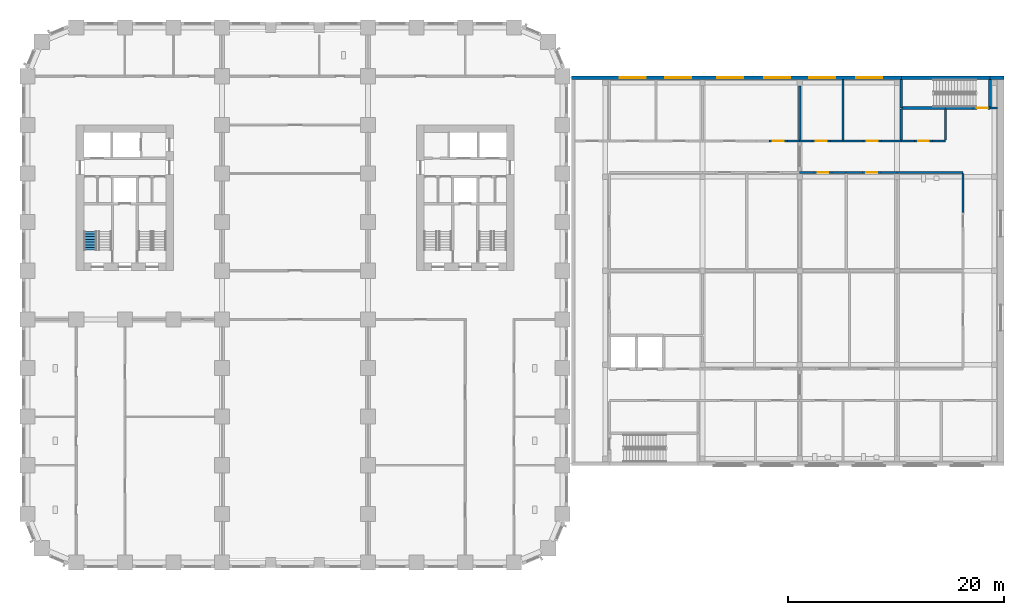
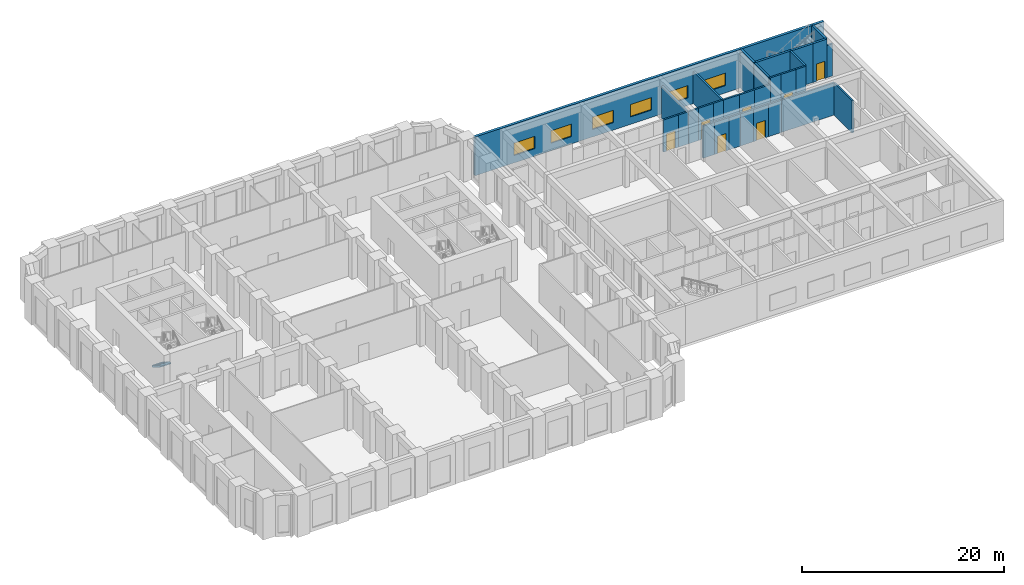
# One storey, part 11 of 19: 32 walls, 7 doors, 6 windows, 1 stair flight, 13 openings, 1 element without a shape of its own.
"""IFC4 building model written with IfcOpenShell, lengths in metres."""

from ifc_helpers import new_model, si_unit, direction, frame, frame_2d, origin, place, context, subcontext, project, spatial, polyline, rectangle, outline, extrude, material, layer, layer_set, type_object, element, fill, aggregate, save


model = new_model("IFC4")

# Units and contexts
model_context = context("Model", 3, precision=1e-05, world=origin(), true_north=direction((0.0, 1.0)))
body_context = subcontext(model_context, "Body", "Model", "MODEL_VIEW")
ifc_project = project(units=[si_unit("LENGTHUNIT", "METRE"), si_unit("AREAUNIT", "SQUARE_METRE"), si_unit("VOLUMEUNIT", "CUBIC_METRE"), si_unit("PLANEANGLEUNIT", "RADIAN"), si_unit("MASSUNIT", "GRAM", prefix="KILO")], contexts=[model_context])

# Site, building, storey
site_placement = place(None, origin())
site = spatial("IfcSite", under=ifc_project, at=site_placement, CompositionType="ELEMENT")
building_placement = place(site_placement, origin())
building = spatial("IfcBuilding", under=site, at=building_placement, Name="Girih Gate Residences", CompositionType="ELEMENT")
storey_placement = place(building_placement, frame((0.0, 0.0, 21.0)))
storey = spatial("IfcBuildingStorey", under=building, at=storey_placement, Name="L04", CompositionType="ELEMENT", Elevation=21.0)

# Wall
ifc_material_1 = material(Name="Fire-rated gypsum partition")
ifc_layer_1 = layer(ifc_material_1, 0.199951171875)
ifc_layer_set_1 = layer_set([ifc_layer_1], Name="HC Corridor wall 200 EI 60")
wall_type_1 = type_object("IfcWallType", Name="HC Corridor wall 200 EI 60", PredefinedType="PARTITIONING", material=ifc_layer_set_1)
wall_1_placement = place(storey_placement, frame((71.449951171875, 36.10009765625, 0.0), z_axis=(0.0, 0.0, 1.0), x_axis=(1.0, 0.0, 0.0)))
element("IfcWall", 1, at=wall_1_placement, inside=storey, type_object=wall_type_1, Name="L04 wall x36.10/71.5", PredefinedType="PARTITIONING", context=body_context, shape_type="SweptSolid", body=[
    extrude(rectangle(XDim=1.300048828125, YDim=0.199951171875, at=frame_2d((0.64990234375, 0.0))), origin(), (0.0, 0.0, 1.0), 3.89990234375),
])

# Wall, opening, door
wall_2_placement = place(storey_placement, frame((74.449951171875, 36.10009765625, 0.0), z_axis=(0.0, 0.0, 1.0), x_axis=(-1.0, 0.0, 0.0)))
wall_2 = element("IfcWall", 2, at=wall_2_placement, inside=storey, type_object=wall_type_1, Name="L04 wall x36.10/72.8", PredefinedType="PARTITIONING", context=body_context, shape_type="SweptSolid", body=[
    extrude(rectangle(XDim=1.699951171875, YDim=0.199951171875, at=frame_2d((0.85009765625, 0.0))), origin(), (0.0, 0.0, 1.0), 3.89990234375),
])
opening_1_placement = place(wall_2_placement, frame((0.35009765625, 0.0, 0.0)))
opening_1 = element("IfcOpeningElement", 3, at=opening_1_placement, cuts=wall_2, Name="Opening HC-L04-D24", PredefinedType="OPENING", context=body_context, shape_type="SweptSolid", body=[
    extrude(rectangle(XDim=1.0, YDim=2.10009765625, at=frame_2d((0.5, 1.050048828125))), frame((0.0, 0.10986328125, 0.0), z_axis=(0.0, -1.0, 0.0), x_axis=(1.0, 0.0, 0.0)), (0.0, 0.0, 1.0), 0.219970703125),
])
ifc_material_2 = material(Name="Timber door set", Category="wood")
door_type_1 = type_object("IfcDoorType", Name="HC Door 1000x2100 FD30S", OperationType="NOTDEFINED", PredefinedType="DOOR", material=ifc_material_2)
door_1_placement = place(opening_1_placement, origin())
door_1 = element("IfcDoor", 4, at=door_1_placement, inside=storey, type_object=door_type_1, Name="L04 Office 1 door", OperationType="SINGLE_SWING_LEFT", OverallHeight=2.10009765625, OverallWidth=1.0, PredefinedType="DOOR", context=body_context, shape_type="SweptSolid", body=[
    extrude(rectangle(XDim=1.0, YDim=2.10009765625, at=frame_2d((0.5, 1.050048828125))), frame((0.0, 0.02490234375, 0.0), z_axis=(0.0, -1.0, 0.0), x_axis=(1.0, 0.0, 0.0)), (0.0, 0.0, 1.0), 0.050048828125),
])
fill(opening_1, door_1)

# Walls
wall_3_placement = place(storey_placement, frame((74.449951171875, 36.10009765625, 0.0), z_axis=(0.0, 0.0, 1.0), x_axis=(1.0, 0.0, 0.0)))
element("IfcWall", 5, at=wall_3_placement, inside=storey, type_object=wall_type_1, Name="L04 wall x36.10/74.4", PredefinedType="PARTITIONING", context=body_context, shape_type="SweptSolid", body=[
    extrude(rectangle(XDim=1.300048828125, YDim=0.199951171875, at=frame_2d((0.64990234375, 0.0))), origin(), (0.0, 0.0, 1.0), 3.89990234375),
])
wall_4_placement = place(storey_placement, frame((75.75, 36.10009765625, 0.0), z_axis=(0.0, 0.0, 1.0), x_axis=(1.0, 0.0, 0.0)))
element("IfcWall", 6, at=wall_4_placement, inside=storey, type_object=wall_type_1, Name="L04 wall x36.10/75.8", PredefinedType="PARTITIONING", context=body_context, shape_type="SweptSolid", body=[
    extrude(rectangle(XDim=1.5, YDim=0.199951171875, at=frame_2d((0.75, 0.0))), origin(), (0.0, 0.0, 1.0), 3.89990234375),
])

# Wall, opening, door
wall_5_placement = place(storey_placement, frame((78.949951171875, 36.10009765625, 0.0), z_axis=(0.0, 0.0, 1.0), x_axis=(-1.0, 0.0, 0.0)))
wall_5 = element("IfcWall", 7, at=wall_5_placement, inside=storey, type_object=wall_type_1, Name="L04 wall x36.10/77.2", PredefinedType="PARTITIONING", context=body_context, shape_type="SweptSolid", body=[
    extrude(rectangle(XDim=1.699951171875, YDim=0.199951171875, at=frame_2d((0.85009765625, 0.0))), origin(), (0.0, 0.0, 1.0), 3.89990234375),
])
opening_2_placement = place(wall_5_placement, frame((0.35009765625, 0.0, 0.0)))
opening_2 = element("IfcOpeningElement", 8, at=opening_2_placement, cuts=wall_5, Name="Opening HC-L04-D25", PredefinedType="OPENING", context=body_context, shape_type="SweptSolid", body=[
    extrude(rectangle(XDim=1.0, YDim=2.10009765625, at=frame_2d((0.5, 1.050048828125))), frame((0.0, 0.10986328125, 0.0), z_axis=(0.0, -1.0, 0.0), x_axis=(1.0, 0.0, 0.0)), (0.0, 0.0, 1.0), 0.219970703125),
])
door_2_placement = place(opening_2_placement, origin())
door_2 = element("IfcDoor", 9, at=door_2_placement, inside=storey, type_object=door_type_1, Name="L04 Archive door", OperationType="SINGLE_SWING_RIGHT", OverallHeight=2.10009765625, OverallWidth=1.0, PredefinedType="DOOR", context=body_context, shape_type="SweptSolid", body=[
    extrude(rectangle(XDim=1.0, YDim=2.10009765625, at=frame_2d((0.5, 1.050048828125))), frame((0.0, 0.02490234375, 0.0), z_axis=(0.0, -1.0, 0.0), x_axis=(1.0, 0.0, 0.0)), (0.0, 0.0, 1.0), 0.050048828125),
])
fill(opening_2, door_2)

# Walls
wall_6_placement = place(storey_placement, frame((78.949951171875, 36.10009765625, 0.0), z_axis=(0.0, 0.0, 1.0), x_axis=(1.0, 0.0, 0.0)))
element("IfcWall", 10, at=wall_6_placement, inside=storey, type_object=wall_type_1, Name="L04 wall x36.10/78.9", PredefinedType="PARTITIONING", context=body_context, shape_type="SweptSolid", body=[
    extrude(rectangle(XDim=1.5, YDim=0.199951171875, at=frame_2d((0.75, 0.0))), origin(), (0.0, 0.0, 1.0), 3.89990234375),
])
wall_7_placement = place(storey_placement, frame((80.449951171875, 36.10009765625, 0.0), z_axis=(0.0, 0.0, 1.0), x_axis=(1.0, 0.0, 0.0)))
element("IfcWall", 11, at=wall_7_placement, inside=storey, type_object=wall_type_1, Name="L04 wall x36.10/80.5", PredefinedType="PARTITIONING", context=body_context, shape_type="SweptSolid", body=[
    extrude(rectangle(XDim=6.10009765625, YDim=0.199951171875, at=frame_2d((3.050048828125, 0.0))), origin(), (0.0, 0.0, 1.0), 3.89990234375),
])

# Wall, opening, door
wall_8_placement = place(storey_placement, frame((68.60009765625, 39.0, 0.0), z_axis=(0.0, 0.0, 1.0), x_axis=(1.0, 0.0, 0.0)))
wall_8 = element("IfcWall", 12, at=wall_8_placement, inside=storey, type_object=wall_type_1, Name="L04 wall x39.00/68.6", PredefinedType="PARTITIONING", context=body_context, shape_type="SweptSolid", body=[
    extrude(rectangle(XDim=1.699951171875, YDim=0.199951171875, at=frame_2d((0.85009765625, 0.0))), origin(), (0.0, 0.0, 1.0), 3.89990234375),
])
opening_3_placement = place(wall_8_placement, frame((0.35009765625, 0.0, 0.0)))
opening_3 = element("IfcOpeningElement", 13, at=opening_3_placement, cuts=wall_8, Name="Opening HC-L04-D31", PredefinedType="OPENING", context=body_context, shape_type="SweptSolid", body=[
    extrude(rectangle(XDim=1.0, YDim=2.10009765625, at=frame_2d((0.5, 1.050048828125))), frame((0.0, 0.10986328125, 0.0), z_axis=(0.0, -1.0, 0.0), x_axis=(1.0, 0.0, 0.0)), (0.0, 0.0, 1.0), 0.219970703125),
])
door_3_placement = place(opening_3_placement, origin())
door_3 = element("IfcDoor", 14, at=door_3_placement, inside=storey, type_object=door_type_1, Name="L04 Office 4 door", OperationType="SINGLE_SWING_LEFT", OverallHeight=2.10009765625, OverallWidth=1.0, PredefinedType="DOOR", context=body_context, shape_type="SweptSolid", body=[
    extrude(rectangle(XDim=1.0, YDim=2.10009765625, at=frame_2d((0.5, 1.050048828125))), frame((0.0, 0.02490234375, 0.0), z_axis=(0.0, -1.0, 0.0), x_axis=(1.0, 0.0, 0.0)), (0.0, 0.0, 1.0), 0.050048828125),
])
fill(opening_3, door_3)

# Walls
wall_9_placement = place(storey_placement, frame((70.300048828125, 39.0, 0.0), z_axis=(0.0, 0.0, 1.0), x_axis=(1.0, 0.0, 0.0)))
element("IfcWall", 15, at=wall_9_placement, inside=storey, type_object=wall_type_1, Name="L04 wall x39.00/70.3", PredefinedType="PARTITIONING", context=body_context, shape_type="SweptSolid", body=[
    extrude(rectangle(XDim=1.14990234375, YDim=0.199951171875, at=frame_2d((0.574951171875, 0.0))), origin(), (0.0, 0.0, 1.0), 3.89990234375),
])
wall_10_placement = place(storey_placement, frame((71.449951171875, 39.0, 0.0), z_axis=(0.0, 0.0, 1.0), x_axis=(1.0, 0.0, 0.0)))
element("IfcWall", 16, at=wall_10_placement, inside=storey, type_object=wall_type_1, Name="L04 wall x39.00/71.5", PredefinedType="PARTITIONING", context=body_context, shape_type="SweptSolid", body=[
    extrude(rectangle(XDim=1.150146484375, YDim=0.199951171875, at=frame_2d((0.5751953125, 0.0))), origin(), (0.0, 0.0, 1.0), 3.89990234375),
])

# Wall, opening, door
wall_11_placement = place(storey_placement, frame((72.60009765625, 39.0, 0.0), z_axis=(0.0, 0.0, 1.0), x_axis=(1.0, 0.0, 0.0)))
wall_11 = element("IfcWall", 17, at=wall_11_placement, inside=storey, type_object=wall_type_1, Name="L04 wall x39.00/72.6", PredefinedType="PARTITIONING", context=body_context, shape_type="SweptSolid", body=[
    extrude(rectangle(XDim=1.699951171875, YDim=0.199951171875, at=frame_2d((0.85009765625, 0.0))), origin(), (0.0, 0.0, 1.0), 3.89990234375),
])
opening_4_placement = place(wall_11_placement, frame((0.35009765625, 0.0, 0.0)))
opening_4 = element("IfcOpeningElement", 18, at=opening_4_placement, cuts=wall_11, Name="Opening HC-L04-D32", PredefinedType="OPENING", context=body_context, shape_type="SweptSolid", body=[
    extrude(rectangle(XDim=1.0, YDim=2.10009765625, at=frame_2d((0.5, 1.050048828125))), frame((0.0, 0.10986328125, 0.0), z_axis=(0.0, -1.0, 0.0), x_axis=(1.0, 0.0, 0.0)), (0.0, 0.0, 1.0), 0.219970703125),
])
door_4_placement = place(opening_4_placement, origin())
door_4 = element("IfcDoor", 19, at=door_4_placement, inside=storey, type_object=door_type_1, Name="L04 Meeting room 2 door", OperationType="SINGLE_SWING_RIGHT", OverallHeight=2.10009765625, OverallWidth=1.0, PredefinedType="DOOR", context=body_context, shape_type="SweptSolid", body=[
    extrude(rectangle(XDim=1.0, YDim=2.10009765625, at=frame_2d((0.5, 1.050048828125))), frame((0.0, 0.02490234375, 0.0), z_axis=(0.0, -1.0, 0.0), x_axis=(1.0, 0.0, 0.0)), (0.0, 0.0, 1.0), 0.050048828125),
])
fill(opening_4, door_4)

# Walls
wall_12_placement = place(storey_placement, frame((74.300048828125, 39.0, 0.0), z_axis=(0.0, 0.0, 1.0), x_axis=(1.0, 0.0, 0.0)))
element("IfcWall", 20, at=wall_12_placement, inside=storey, type_object=wall_type_1, Name="L04 wall x39.00/74.3", PredefinedType="PARTITIONING", context=body_context, shape_type="SweptSolid", body=[
    extrude(rectangle(XDim=1.14990234375, YDim=0.199951171875, at=frame_2d((0.574951171875, 0.0))), origin(), (0.0, 0.0, 1.0), 3.89990234375),
])
wall_13_placement = place(storey_placement, frame((75.449951171875, 39.0, 0.0), z_axis=(0.0, 0.0, 1.0), x_axis=(1.0, 0.0, 0.0)))
element("IfcWall", 21, at=wall_13_placement, inside=storey, type_object=wall_type_1, Name="L04 wall x39.00/75.5", PredefinedType="PARTITIONING", context=body_context, shape_type="SweptSolid", body=[
    extrude(rectangle(XDim=1.85009765625, YDim=0.199951171875, at=frame_2d((0.925048828125, 0.0))), origin(), (0.0, 0.0, 1.0), 3.89990234375),
])

# Wall, opening, door
wall_14_placement = place(storey_placement, frame((77.300048828125, 39.0, 0.0), z_axis=(0.0, 0.0, 1.0), x_axis=(1.0, 0.0, 0.0)))
wall_14 = element("IfcWall", 22, at=wall_14_placement, inside=storey, type_object=wall_type_1, Name="L04 wall x39.00/77.3", PredefinedType="PARTITIONING", context=body_context, shape_type="SweptSolid", body=[
    extrude(rectangle(XDim=1.699951171875, YDim=0.199951171875, at=frame_2d((0.85009765625, 0.0))), origin(), (0.0, 0.0, 1.0), 3.89990234375),
])
opening_5_placement = place(wall_14_placement, frame((0.35009765625, 0.0, 0.0)))
opening_5 = element("IfcOpeningElement", 23, at=opening_5_placement, cuts=wall_14, Name="Opening HC-L04-D33", PredefinedType="OPENING", context=body_context, shape_type="SweptSolid", body=[
    extrude(rectangle(XDim=1.0, YDim=2.10009765625, at=frame_2d((0.5, 1.050048828125))), frame((0.0, 0.10986328125, 0.0), z_axis=(0.0, -1.0, 0.0), x_axis=(1.0, 0.0, 0.0)), (0.0, 0.0, 1.0), 0.219970703125),
])
door_5_placement = place(opening_5_placement, origin())
door_5 = element("IfcDoor", 24, at=door_5_placement, inside=storey, type_object=door_type_1, Name="L04 Office 5 door", OperationType="SINGLE_SWING_LEFT", OverallHeight=2.10009765625, OverallWidth=1.0, PredefinedType="DOOR", context=body_context, shape_type="SweptSolid", body=[
    extrude(rectangle(XDim=1.0, YDim=2.10009765625, at=frame_2d((0.5, 1.050048828125))), frame((0.0, 0.02490234375, 0.0), z_axis=(0.0, -1.0, 0.0), x_axis=(1.0, 0.0, 0.0)), (0.0, 0.0, 1.0), 0.050048828125),
])
fill(opening_5, door_5)

# Walls
wall_15_placement = place(storey_placement, frame((79.0, 39.0, 0.0), z_axis=(0.0, 0.0, 1.0), x_axis=(1.0, 0.0, 0.0)))
element("IfcWall", 25, at=wall_15_placement, inside=storey, type_object=wall_type_1, Name="L04 wall x39.00/79.0", PredefinedType="PARTITIONING", context=body_context, shape_type="SweptSolid", body=[
    extrude(rectangle(XDim=1.85009765625, YDim=0.199951171875, at=frame_2d((0.925048828125, 0.0))), origin(), (0.0, 0.0, 1.0), 3.89990234375),
])
wall_16_placement = place(storey_placement, frame((80.85009765625, 39.0, 0.0), z_axis=(0.0, 0.0, 1.0), x_axis=(1.0, 0.0, 0.0)))
element("IfcWall", 26, at=wall_16_placement, inside=storey, type_object=wall_type_1, Name="L04 wall x39.00/80.8", PredefinedType="PARTITIONING", context=body_context, shape_type="SweptSolid", body=[
    extrude(rectangle(XDim=1.199951171875, YDim=0.199951171875, at=frame_2d((0.60009765625, 0.0))), origin(), (0.0, 0.0, 1.0), 4.699951171875),
])

# Wall, opening, door
wall_17_placement = place(storey_placement, frame((82.050048828125, 39.0, 0.0), z_axis=(0.0, 0.0, 1.0), x_axis=(1.0, 0.0, 0.0)))
wall_17 = element("IfcWall", 27, at=wall_17_placement, inside=storey, type_object=wall_type_1, Name="L04 wall x39.00/82.1", PredefinedType="PARTITIONING", context=body_context, shape_type="SweptSolid", body=[
    extrude(rectangle(XDim=1.699951171875, YDim=0.199951171875, at=frame_2d((0.85009765625, 0.0))), origin(), (0.0, 0.0, 1.0), 4.699951171875),
])
opening_6_placement = place(wall_17_placement, frame((0.35009765625, 0.0, 0.0)))
opening_6 = element("IfcOpeningElement", 28, at=opening_6_placement, cuts=wall_17, Name="Opening HC-L04-D34", PredefinedType="OPENING", context=body_context, shape_type="SweptSolid", body=[
    extrude(rectangle(XDim=1.0, YDim=2.10009765625, at=frame_2d((0.5, 1.050048828125))), frame((0.0, 0.10986328125, 0.0), z_axis=(0.0, -1.0, 0.0), x_axis=(1.0, 0.0, 0.0)), (0.0, 0.0, 1.0), 0.219970703125),
])
door_6_placement = place(opening_6_placement, origin())
door_6 = element("IfcDoor", 29, at=door_6_placement, inside=storey, type_object=door_type_1, Name="L04 Stationery store door", OperationType="SINGLE_SWING_RIGHT", OverallHeight=2.10009765625, OverallWidth=1.0, PredefinedType="DOOR", context=body_context, shape_type="SweptSolid", body=[
    extrude(rectangle(XDim=1.0, YDim=2.10009765625, at=frame_2d((0.5, 1.050048828125))), frame((0.0, 0.02490234375, 0.0), z_axis=(0.0, -1.0, 0.0), x_axis=(1.0, 0.0, 0.0)), (0.0, 0.0, 1.0), 0.050048828125),
])
fill(opening_6, door_6)

# Walls
wall_18_placement = place(storey_placement, frame((83.75, 39.0, 0.0), z_axis=(0.0, 0.0, 1.0), x_axis=(1.0, 0.0, 0.0)))
element("IfcWall", 30, at=wall_18_placement, inside=storey, type_object=wall_type_1, Name="L04 wall x39.00/83.8", PredefinedType="PARTITIONING", context=body_context, shape_type="SweptSolid", body=[
    extrude(rectangle(XDim=1.199951171875, YDim=0.199951171875, at=frame_2d((0.60009765625, 0.0))), origin(), (0.0, 0.0, 1.0), 4.699951171875),
])
wall_19_placement = place(storey_placement, frame((89.050048828125, 42.050048828125, 0.0), z_axis=(0.0, 0.0, 1.0), x_axis=(1.0, 0.0, 0.0)))
element("IfcWall", 31, at=wall_19_placement, inside=storey, type_object=wall_type_1, Name="L04 wall x42.05/89.0", PredefinedType="PARTITIONING", context=body_context, shape_type="SweptSolid", body=[
    extrude(rectangle(XDim=0.699951171875, YDim=0.199951171875, at=frame_2d((0.35009765625, 0.0))), origin(), (0.0, 0.0, 1.0), 3.89990234375),
])
wall_20_placement = place(storey_placement, frame((84.949951171875, 39.10009765625, 0.0), z_axis=(0.0, 0.0, 1.0), x_axis=(0.0, 1.0, 0.0)))
element("IfcWall", 32, at=wall_20_placement, inside=storey, type_object=wall_type_1, Name="L04 wall y84.95/39.1", PredefinedType="PARTITIONING", context=body_context, shape_type="SweptSolid", body=[
    extrude(rectangle(XDim=2.849853515625, YDim=0.199951171875, at=frame_2d((1.4248046875, 0.0))), origin(), (0.0, 0.0, 1.0), 4.699951171875),
])
wall_21_placement = place(storey_placement, frame((86.550048828125, 32.39990234375, 0.0), z_axis=(0.0, 0.0, 1.0), x_axis=(0.0, 1.0, 0.0)))
element("IfcWall", 33, at=wall_21_placement, inside=storey, type_object=wall_type_1, Name="L04 wall y86.55/32.4", PredefinedType="PARTITIONING", context=body_context, shape_type="SweptSolid", body=[
    extrude(rectangle(XDim=3.60009765625, YDim=0.199951171875, at=frame_2d((1.800048828125, 0.0))), origin(), (0.0, 0.0, 1.0), 3.89990234375),
])

# Wall, openings, windows
ifc_material_3 = material(Name="Precast concrete C40/50", Category="concrete")
ifc_layer_2 = layer(ifc_material_3, 0.300048828125)
ifc_layer_set_2 = layer_set([ifc_layer_2], Name="HC Facade wall 300")
wall_type_2 = type_object("IfcWallType", Name="HC Facade wall 300", PredefinedType="SOLIDWALL", material=ifc_layer_set_2)
wall_22_placement = place(storey_placement, frame((50.35009765625, 44.85009765625, 0.0), z_axis=(0.0, 0.0, 1.0), x_axis=(1.0, 0.0, 0.0)))
wall_22 = element("IfcWall", 34, at=wall_22_placement, inside=storey, type_object=wall_type_2, Name="L04 north facade wall", PredefinedType="SOLIDWALL", context=body_context, shape_type="SweptSolid", body=[
    extrude(rectangle(XDim=30.5, YDim=0.300048828125, at=frame_2d((15.25, 0.0))), origin(), (0.0, 0.0, 1.0), 4.699951171875),
])
opening_7_placement = place(wall_22_placement, frame((4.449951171875, 0.0, 0.89990234375)))
opening_7 = element("IfcOpeningElement", 35, at=opening_7_placement, cuts=wall_22, Name="Opening HC-W-L04-N01", PredefinedType="OPENING", context=body_context, shape_type="SweptSolid", body=[
    extrude(rectangle(XDim=2.39990234375, YDim=1.5, at=frame_2d((1.199951171875, 0.75))), frame((0.0, 0.159912109375, 0.0), z_axis=(0.0, -1.0, 0.0), x_axis=(1.0, 0.0, 0.0)), (0.0, 0.0, 1.0), 0.320068359375),
])
opening_8_placement = place(wall_22_placement, frame((8.675048828125, 0.0, 0.89990234375)))
opening_8 = element("IfcOpeningElement", 36, at=opening_8_placement, cuts=wall_22, Name="Opening HC-W-L04-N02", PredefinedType="OPENING", context=body_context, shape_type="SweptSolid", body=[
    extrude(rectangle(XDim=2.39990234375, YDim=1.5, at=frame_2d((1.199951171875, 0.75))), frame((0.0, 0.159912109375, 0.0), z_axis=(0.0, -1.0, 0.0), x_axis=(1.0, 0.0, 0.0)), (0.0, 0.0, 1.0), 0.320068359375),
])
opening_9_placement = place(wall_22_placement, frame((13.47509765625, 0.0, 0.89990234375)))
opening_9 = element("IfcOpeningElement", 37, at=opening_9_placement, cuts=wall_22, Name="Opening HC-W-L04-N03", PredefinedType="OPENING", context=body_context, shape_type="SweptSolid", body=[
    extrude(rectangle(XDim=2.39990234375, YDim=1.5, at=frame_2d((1.199951171875, 0.75))), frame((0.0, 0.159912109375, 0.0), z_axis=(0.0, -1.0, 0.0), x_axis=(1.0, 0.0, 0.0)), (0.0, 0.0, 1.0), 0.320068359375),
])
opening_10_placement = place(wall_22_placement, frame((17.824951171875, 0.0, 0.89990234375)))
opening_10 = element("IfcOpeningElement", 38, at=opening_10_placement, cuts=wall_22, Name="Opening HC-W-L04-N04", PredefinedType="OPENING", context=body_context, shape_type="SweptSolid", body=[
    extrude(rectangle(XDim=2.39990234375, YDim=1.5, at=frame_2d((1.199951171875, 0.75))), frame((0.0, 0.159912109375, 0.0), z_axis=(0.0, -1.0, 0.0), x_axis=(1.0, 0.0, 0.0)), (0.0, 0.0, 1.0), 0.320068359375),
])
opening_11_placement = place(wall_22_placement, frame((21.97509765625, 0.0, 0.89990234375)))
opening_11 = element("IfcOpeningElement", 39, at=opening_11_placement, cuts=wall_22, Name="Opening HC-W-L04-N05", PredefinedType="OPENING", context=body_context, shape_type="SweptSolid", body=[
    extrude(rectangle(XDim=2.39990234375, YDim=1.5, at=frame_2d((1.199951171875, 0.75))), frame((0.0, 0.159912109375, 0.0), z_axis=(0.0, -1.0, 0.0), x_axis=(1.0, 0.0, 0.0)), (0.0, 0.0, 1.0), 0.320068359375),
])
opening_12_placement = place(wall_22_placement, frame((26.324951171875, 0.0, 0.89990234375)))
opening_12 = element("IfcOpeningElement", 40, at=opening_12_placement, cuts=wall_22, Name="Opening HC-W-L04-N06", PredefinedType="OPENING", context=body_context, shape_type="SweptSolid", body=[
    extrude(rectangle(XDim=2.39990234375, YDim=1.5, at=frame_2d((1.199951171875, 0.75))), frame((0.0, 0.159912109375, 0.0), z_axis=(0.0, -1.0, 0.0), x_axis=(1.0, 0.0, 0.0)), (0.0, 0.0, 1.0), 0.320068359375),
])
ifc_material_4 = material(Name="Aluminium framed glazing", Category="aluminium")
window_type = type_object("IfcWindowType", Name="HC Window W-4 2400x1500", PartitioningType="DOUBLE_PANEL_VERTICAL", PredefinedType="WINDOW", material=ifc_material_4)
window_1_placement = place(opening_7_placement, origin())
window_1 = element("IfcWindow", 41, at=window_1_placement, inside=storey, type_object=window_type, Name="L04 north window 1", OverallHeight=1.5, OverallWidth=2.39990234375, PartitioningType="DOUBLE_PANEL_VERTICAL", PredefinedType="WINDOW", context=body_context, shape_type="SweptSolid", body=[
    extrude(rectangle(XDim=2.39990234375, YDim=1.5, at=frame_2d((1.199951171875, 0.75))), frame((0.0, 0.030029296875, 0.0), z_axis=(0.0, -1.0, 0.0), x_axis=(1.0, 0.0, 0.0)), (0.0, 0.0, 1.0), 0.06005859375),
])
fill(opening_7, window_1)
window_2_placement = place(opening_8_placement, origin())
window_2 = element("IfcWindow", 42, at=window_2_placement, inside=storey, type_object=window_type, Name="L04 north window 2", OverallHeight=1.5, OverallWidth=2.39990234375, PartitioningType="DOUBLE_PANEL_VERTICAL", PredefinedType="WINDOW", context=body_context, shape_type="SweptSolid", body=[
    extrude(rectangle(XDim=2.39990234375, YDim=1.5, at=frame_2d((1.199951171875, 0.75))), frame((0.0, 0.030029296875, 0.0), z_axis=(0.0, -1.0, 0.0), x_axis=(1.0, 0.0, 0.0)), (0.0, 0.0, 1.0), 0.06005859375),
])
fill(opening_8, window_2)
window_3_placement = place(opening_9_placement, origin())
window_3 = element("IfcWindow", 43, at=window_3_placement, inside=storey, type_object=window_type, Name="L04 north window 3", OverallHeight=1.5, OverallWidth=2.39990234375, PartitioningType="DOUBLE_PANEL_VERTICAL", PredefinedType="WINDOW", context=body_context, shape_type="SweptSolid", body=[
    extrude(rectangle(XDim=2.39990234375, YDim=1.5, at=frame_2d((1.199951171875, 0.75))), frame((0.0, 0.030029296875, 0.0), z_axis=(0.0, -1.0, 0.0), x_axis=(1.0, 0.0, 0.0)), (0.0, 0.0, 1.0), 0.06005859375),
])
fill(opening_9, window_3)
window_4_placement = place(opening_10_placement, origin())
window_4 = element("IfcWindow", 44, at=window_4_placement, inside=storey, type_object=window_type, Name="L04 north window 4", OverallHeight=1.5, OverallWidth=2.39990234375, PartitioningType="DOUBLE_PANEL_VERTICAL", PredefinedType="WINDOW", context=body_context, shape_type="SweptSolid", body=[
    extrude(rectangle(XDim=2.39990234375, YDim=1.5, at=frame_2d((1.199951171875, 0.75))), frame((0.0, 0.030029296875, 0.0), z_axis=(0.0, -1.0, 0.0), x_axis=(1.0, 0.0, 0.0)), (0.0, 0.0, 1.0), 0.06005859375),
])
fill(opening_10, window_4)
window_5_placement = place(opening_11_placement, origin())
window_5 = element("IfcWindow", 45, at=window_5_placement, inside=storey, type_object=window_type, Name="L04 north window 5", OverallHeight=1.5, OverallWidth=2.39990234375, PartitioningType="DOUBLE_PANEL_VERTICAL", PredefinedType="WINDOW", context=body_context, shape_type="SweptSolid", body=[
    extrude(rectangle(XDim=2.39990234375, YDim=1.5, at=frame_2d((1.199951171875, 0.75))), frame((0.0, 0.030029296875, 0.0), z_axis=(0.0, -1.0, 0.0), x_axis=(1.0, 0.0, 0.0)), (0.0, 0.0, 1.0), 0.06005859375),
])
fill(opening_11, window_5)
window_6_placement = place(opening_12_placement, origin())
window_6 = element("IfcWindow", 46, at=window_6_placement, inside=storey, type_object=window_type, Name="L04 north window 6", OverallHeight=1.5, OverallWidth=2.39990234375, PartitioningType="DOUBLE_PANEL_VERTICAL", PredefinedType="WINDOW", context=body_context, shape_type="SweptSolid", body=[
    extrude(rectangle(XDim=2.39990234375, YDim=1.5, at=frame_2d((1.199951171875, 0.75))), frame((0.0, 0.030029296875, 0.0), z_axis=(0.0, -1.0, 0.0), x_axis=(1.0, 0.0, 0.0)), (0.0, 0.0, 1.0), 0.06005859375),
])
fill(opening_12, window_6)

# Walls
wall_23_placement = place(storey_placement, frame((89.050048828125, 44.85009765625, 0.0), z_axis=(0.0, 0.0, 1.0), x_axis=(1.0, 0.0, 0.0)))
element("IfcWall", 47, at=wall_23_placement, inside=storey, type_object=wall_type_2, Name="L04 north facade wall", PredefinedType="SOLIDWALL", context=body_context, shape_type="SweptSolid", body=[
    extrude(rectangle(XDim=1.300048828125, YDim=0.300048828125, at=frame_2d((0.64990234375, 0.0))), origin(), (0.0, 0.0, 1.0), 4.699951171875),
])
ifc_material_5 = material(Name="Gypsum partition")
ifc_layer_3 = layer(ifc_material_5, 0.199951171875)
ifc_layer_set_3 = layer_set([ifc_layer_3], Name="HC Room partition 200 EI 30")
wall_type_3 = type_object("IfcWallType", Name="HC Room partition 200 EI 30", PredefinedType="PARTITIONING", material=ifc_layer_set_3)
wall_24_placement = place(storey_placement, frame((71.449951171875, 39.10009765625, 0.0), z_axis=(0.0, 0.0, 1.0), x_axis=(0.0, 1.0, 0.0)))
element("IfcWall", 48, at=wall_24_placement, inside=storey, type_object=wall_type_3, Name="L04 wall y71.45/39.1", PredefinedType="PARTITIONING", context=body_context, shape_type="SweptSolid", body=[
    extrude(rectangle(XDim=5.0, YDim=0.199951171875, at=frame_2d((2.5, 0.0))), origin(), (0.0, 0.0, 1.0), 3.89990234375),
])
wall_25_placement = place(storey_placement, frame((75.449951171875, 39.10009765625, 0.0), z_axis=(0.0, 0.0, 1.0), x_axis=(0.0, 1.0, 0.0)))
element("IfcWall", 49, at=wall_25_placement, inside=storey, type_object=wall_type_3, Name="L04 wall y75.45/39.1", PredefinedType="PARTITIONING", context=body_context, shape_type="SweptSolid", body=[
    extrude(rectangle(XDim=5.599853515625, YDim=0.199951171875, at=frame_2d((2.7998046875, 0.0))), origin(), (0.0, 0.0, 1.0), 3.89990234375),
])
wall_26_placement = place(storey_placement, frame((80.85009765625, 39.10009765625, 0.0), z_axis=(0.0, 0.0, 1.0), x_axis=(0.0, 1.0, 0.0)))
element("IfcWall", 50, at=wall_26_placement, inside=storey, type_object=wall_type_3, Name="L04 wall y80.85/39.1", PredefinedType="PARTITIONING", context=body_context, shape_type="SweptSolid", body=[
    extrude(rectangle(XDim=2.849853515625, YDim=0.199951171875, at=frame_2d((1.4248046875, 0.0))), origin(), (0.0, 0.0, 1.0), 4.699951171875),
])
ifc_material_6 = material(Name="Concrete C40/50", Category="concrete")
ifc_layer_4 = layer(ifc_material_6, 0.25)
ifc_layer_set_4 = layer_set([ifc_layer_4], Name="HC Shaft wall 250 C40/50")
wall_type_4 = type_object("IfcWallType", Name="HC Shaft wall 250 C40/50", PredefinedType="SHEAR", material=ifc_layer_set_4)
wall_27_placement = place(storey_placement, frame((80.85009765625, 42.050048828125, 0.0), z_axis=(0.0, 0.0, 1.0), x_axis=(1.0, 0.0, 0.0)))
element("IfcWall", 51, at=wall_27_placement, inside=storey, type_object=wall_type_4, Name="L04 wall x42.05/80.8", PredefinedType="SHEAR", context=body_context, shape_type="SweptSolid", body=[
    extrude(rectangle(XDim=4.099853515625, YDim=0.25, at=frame_2d((2.0498046875, 0.0))), origin(), (0.0, 0.0, 1.0), 4.699951171875),
])
wall_28_placement = place(storey_placement, frame((84.949951171875, 42.050048828125, 0.0), z_axis=(0.0, 0.0, 1.0), x_axis=(1.0, 0.0, 0.0)))
element("IfcWall", 52, at=wall_28_placement, inside=storey, type_object=wall_type_4, Name="L04 wall x42.05/85.0", PredefinedType="SHEAR", context=body_context, shape_type="SweptSolid", body=[
    extrude(rectangle(XDim=2.550048828125, YDim=0.25, at=frame_2d((1.27490234375, 0.0))), origin(), (0.0, 0.0, 1.0), 4.699951171875),
])

# Wall, opening, door
wall_29_placement = place(storey_placement, frame((89.050048828125, 42.050048828125, 0.0), z_axis=(0.0, 0.0, 1.0), x_axis=(-1.0, 0.0, 0.0)))
wall_29 = element("IfcWall", 53, at=wall_29_placement, inside=storey, type_object=wall_type_4, Name="L04 wall x42.05/87.5", PredefinedType="SHEAR", context=body_context, shape_type="SweptSolid", body=[
    extrude(rectangle(XDim=1.550048828125, YDim=0.25, at=frame_2d((0.77490234375, 0.0))), origin(), (0.0, 0.0, 1.0), 4.699951171875),
])
opening_13_placement = place(wall_29_placement, frame((0.199951171875, 0.0, 0.0)))
opening_13 = element("IfcOpeningElement", 54, at=opening_13_placement, cuts=wall_29, Name="Opening HC-L04-D02", PredefinedType="OPENING", context=body_context, shape_type="SweptSolid", body=[
    extrude(rectangle(XDim=1.0, YDim=2.10009765625, at=frame_2d((0.5, 1.050048828125))), frame((0.0, 0.135009765625, 0.0), z_axis=(0.0, -1.0, 0.0), x_axis=(1.0, 0.0, 0.0)), (0.0, 0.0, 1.0), 0.27001953125),
])
ifc_material_7 = material(Name="Steel door set", Category="steel")
door_type_2 = type_object("IfcDoorType", Name="HC Stair door 1000x2100 FD60", OperationType="NOTDEFINED", PredefinedType="DOOR", material=ifc_material_7)
door_7_placement = place(opening_13_placement, origin())
door_7 = element("IfcDoor", 55, at=door_7_placement, inside=storey, type_object=door_type_2, Name="L04 Stair B door", OperationType="SINGLE_SWING_LEFT", OverallHeight=2.10009765625, OverallWidth=1.0, PredefinedType="DOOR", context=body_context, shape_type="SweptSolid", body=[
    extrude(rectangle(XDim=1.0, YDim=2.10009765625, at=frame_2d((0.5, 1.050048828125))), frame((0.0, 0.02490234375, 0.0), z_axis=(0.0, -1.0, 0.0), x_axis=(1.0, 0.0, 0.0)), (0.0, 0.0, 1.0), 0.050048828125),
])
fill(opening_13, door_7)

# Walls
for number, where, z_axis, x_axis, name in (
    (56, (80.85009765625, 42.050048828125, 0.0), (0.0, 0.0, 1.0), (0.0, 1.0, 0.0), "L04 wall y80.85/42.0"),
    (57, (89.050048828125, 42.050048828125, 0.0), (0.0, 0.0, 1.0), (0.0, 1.0, 0.0), "L04 wall y89.05/42.0"),
):
    element("IfcWall", number, at=place(storey_placement, frame(where, z_axis=z_axis, x_axis=x_axis)), inside=storey, type_object=wall_type_4, Name=name, PredefinedType="SHEAR", context=body_context, shape_type="SweptSolid", body=[
        extrude(rectangle(XDim=2.64990234375, YDim=0.25, at=frame_2d((1.324951171875, 0.0))), origin(), (0.0, 0.0, 1.0), 4.699951171875),
    ])
ifc_layer_5 = layer(ifc_material_3, 0.300048828125)
ifc_layer_set_5 = layer_set([ifc_layer_5], Name="HC Stair shaft facade wall 300")
wall_type_5 = type_object("IfcWallType", Name="HC Stair shaft facade wall 300", PredefinedType="SHEAR", material=ifc_layer_set_5)
wall_30_placement = place(storey_placement, frame((80.85009765625, 44.85009765625, 0.0), z_axis=(0.0, 0.0, 1.0), x_axis=(1.0, 0.0, 0.0)))
element("IfcWall", 58, at=wall_30_placement, inside=storey, type_object=wall_type_5, Name="L04 north facade wall over stair B", PredefinedType="SHEAR", context=body_context, shape_type="SweptSolid", body=[
    extrude(rectangle(XDim=8.199951171875, YDim=0.300048828125, at=frame_2d((4.10009765625, 0.0))), origin(), (0.0, 0.0, 1.0), 4.699951171875),
])

# Stair, stair flight
stair_type = type_object("IfcStairType", Name="Exit stair", PredefinedType="HALF_TURN_STAIR", material=ifc_material_6)
stair_placement = place(storey_placement, origin())
stair = element("IfcStair", 59, at=stair_placement, inside=storey, type_object=stair_type, Name="L04 Exit Stair ST-W1", PredefinedType="HALF_TURN_STAIR")
stair_flight_type = type_object("IfcStairFlightType", Name="Stair flight 1200", PredefinedType="STRAIGHT", material=ifc_material_6)
stair_flight_placement = place(storey_placement, frame((5.800048828125, 30.64990234375, 1.25), z_axis=(0.0, 0.0, 1.0), x_axis=(0.0, -1.0, 0.0)))
stair_flight = element("IfcStairFlight", 60, at=stair_flight_placement, type_object=stair_flight_type, Name="ST-W1 flight 2", NumberOfRisers=8, NumberOfTreads=7, PredefinedType="STRAIGHT", RiserHeight=0.15625, TreadLength=0.25, context=body_context, shape_type="SweptSolid", body=[
    extrude(outline(polyline([(0.0, 0.0), (0.0, 0.01123046875), (0.0, 0.022216796875), (0.0, 0.033447265625), (0.0, 0.044677734375), (0.0, 0.055908203125), (0.0, 0.06689453125), (0.0, 0.078125), (0.0, 0.08935546875), (0.0, 0.100341796875), (0.0, 0.111572265625), (0.0, 0.122802734375), (0.0, 0.134033203125), (0.0, 0.14501953125), (0.0, 0.15625), (0.25, 0.15625), (0.25, 0.3125), (0.5, 0.3125), (0.5, 0.46875), (0.75, 0.46875), (0.75, 0.625), (1.0, 0.625), (1.0, 0.78125), (1.25, 0.78125), (1.25, 0.9375), (1.5, 0.9375), (1.5, 1.09375), (1.75, 1.09375), (1.75, 1.10498046875), (1.75, 1.115966796875), (1.75, 1.127197265625), (1.75, 1.138427734375), (1.75, 1.149658203125), (1.75, 1.16064453125), (1.75, 1.171875), (1.75, 1.18310546875), (1.75, 1.194091796875), (1.75, 1.205322265625), (1.75, 1.216552734375), (1.75, 1.227783203125), (1.75, 1.23876953125), (1.75, 1.25), (1.75, 1.228759765625), (1.75, 1.20751953125), (1.75, 1.186279296875), (1.75, 1.164794921875), (1.75, 1.1435546875), (1.75, 1.122314453125), (1.75, 1.10107421875), (1.75, 1.079833984375), (1.75, 1.05859375), (1.75, 1.037109375), (1.75, 1.015869140625), (1.75, 0.99462890625), (1.75, 0.973388671875), (1.75, 0.9521484375), (0.2265625, 0.0), (0.0, 0.0)])), frame((0.0, 0.60009765625, 0.0), z_axis=(0.0, -1.0, 0.0), x_axis=(1.0, 0.0, 0.0)), (0.0, 0.0, 1.0), 1.199951171875),
])
aggregate(stair, [stair_flight])

save(model, "model.ifc")
